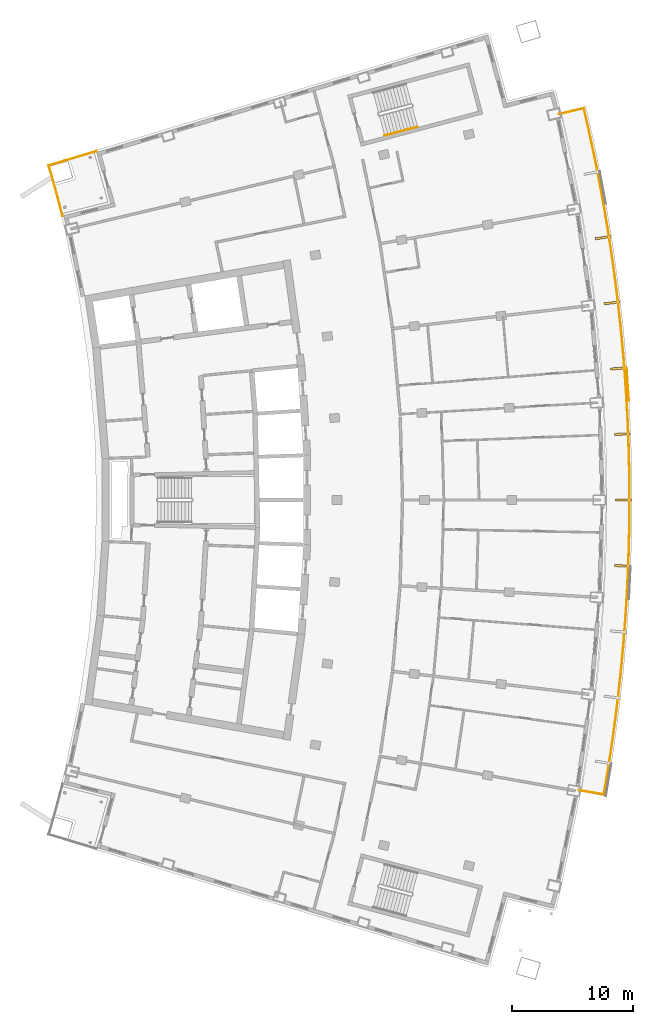
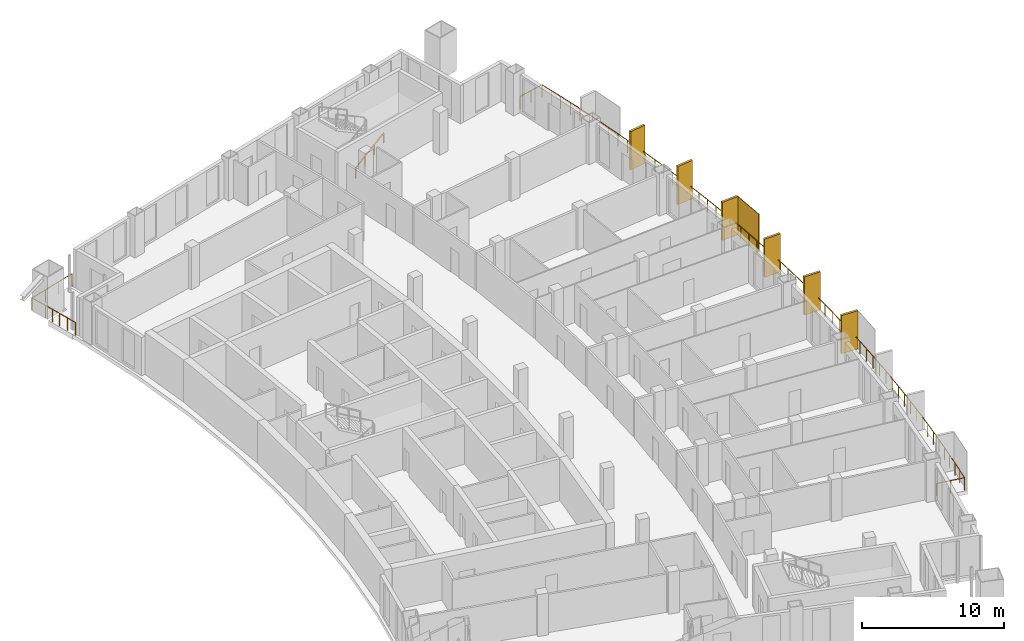
# One storey, part 17 of 18: 7 shading devices, 3 railings.
"""IFC4 building model written with IfcOpenShell, lengths in metres."""

from ifc_helpers import new_model, si_unit, direction, frame, origin, origin_2d, place, context, subcontext, project, spatial, rectangle, extrude, material, layer, layer_set, type_object, element, save


model = new_model("IFC4")

# Units and contexts
model_context = context("Model", 3, precision=1e-05, world=origin(), true_north=direction((0.0, 1.0)))
body_context = subcontext(model_context, "Body", "Model", "MODEL_VIEW")
ifc_project = project(units=[si_unit("LENGTHUNIT", "METRE"), si_unit("AREAUNIT", "SQUARE_METRE"), si_unit("VOLUMEUNIT", "CUBIC_METRE"), si_unit("PLANEANGLEUNIT", "RADIAN"), si_unit("MASSUNIT", "GRAM", prefix="KILO")], contexts=[model_context])

# Site, building, storey
site_placement = place(None, origin())
site = spatial("IfcSite", under=ifc_project, at=site_placement, CompositionType="ELEMENT")
building_placement = place(site_placement, origin())
building = spatial("IfcBuilding", under=site, at=building_placement, Name="Alderwake Tower", CompositionType="ELEMENT")
storey_placement = place(building_placement, frame((0.0, 0.0, 225.199951171875)))
storey = spatial("IfcBuildingStorey", under=building, at=storey_placement, Name="L56", CompositionType="ELEMENT", Elevation=225.199951171875)

# Railings
ifc_material_1 = material(Name="Stainless steel 316 rail and posts", Category="steel")
railing_type_1 = type_object("IfcRailingType", Name="Balcony guard 1100", PredefinedType="GUARDRAIL", material=ifc_material_1)
railing_1_placement = place(storey_placement, frame((55.71240234375, 37.10498046875, 0.0)))
element("IfcRailing", 1, at=railing_1_placement, inside=storey, type_object=railing_type_1, Name="Guard BF04", PredefinedType="GUARDRAIL", context=body_context, shape_type="SweptSolid", body=[
    extrude(rectangle(XDim=0.048095703125, YDim=0.048095703125, at=origin_2d()), frame((0.0, 0.0, 1.076171875), z_axis=(0.984840855066, -0.173460341844, 0.0), x_axis=(0.173460341844, 0.984840855066, 0.0)), (0.0, 0.0, 1.0), 2.099853515625),
    extrude(rectangle(XDim=0.048095703125, YDim=0.048095703125, at=origin_2d()), frame((2.068115234375, -0.3642578125, 1.076171875), z_axis=(0.166602347752, 0.986024166906, 0.0), x_axis=(-0.986024166906, 0.166602347752, 0.0)), (0.0, 0.0, 1.0), 1.940185546875),
    extrude(rectangle(XDim=0.048095703125, YDim=0.048095703125, at=origin_2d()), frame((2.391357421875, 1.548828125, 1.076171875), z_axis=(0.15256970672, 0.988292712, 0.0), x_axis=(-0.988292712, 0.15256970672, 0.0)), (0.0, 0.0, 1.0), 2.040283203125),
    extrude(rectangle(XDim=0.048095703125, YDim=0.048095703125, at=origin_2d()), frame((2.70263671875, 3.565185546875, 1.076171875), z_axis=(0.138086845917, 0.990420124485, 0.0), x_axis=(-0.990420124485, 0.138086845917, 0.0)), (0.0, 0.0, 1.0), 2.040283203125),
    extrude(rectangle(XDim=0.048095703125, YDim=0.048095703125, at=origin_2d()), frame((2.984375, 5.5859375, 1.076171875), z_axis=(0.123622311964, 0.992329342499, 0.0), x_axis=(-0.992329342499, 0.123622311964, 0.0)), (0.0, 0.0, 1.0), 2.0400390625),
    extrude(rectangle(XDim=0.048095703125, YDim=0.048095703125, at=origin_2d()), frame((3.236572265625, 7.6103515625, 1.076171875), z_axis=(0.109131208179, 0.994027353447, 0.0), x_axis=(-0.994027353447, 0.109131208179, 0.0)), (0.0, 0.0, 1.0), 2.040283203125),
    extrude(rectangle(XDim=0.048095703125, YDim=0.048095703125, at=origin_2d()), frame((3.459228515625, 9.638427734375, 1.076171875), z_axis=(0.094656616902, 0.995509982309, 0.0), x_axis=(-0.995509982309, 0.094656616902, 0.0)), (0.0, 0.0, 1.0), 2.040283203125),
    extrude(rectangle(XDim=0.048095703125, YDim=0.048095703125, at=origin_2d()), frame((3.65234375, 11.66943359375, 1.076171875), z_axis=(0.080173257141, 0.996780943257, 0.0), x_axis=(-0.996780943257, 0.080173257141, 0.0)), (0.0, 0.0, 1.0), 2.040283203125),
    extrude(rectangle(XDim=0.048095703125, YDim=0.048095703125, at=origin_2d()), frame((3.81591796875, 13.703125, 1.076171875), z_axis=(0.06558170629, 0.997847202632, 0.0), x_axis=(-0.997847202632, 0.06558170629, 0.0)), (0.0, 0.0, 1.0), 2.0400390625),
    extrude(rectangle(XDim=0.048095703125, YDim=0.048095703125, at=origin_2d()), frame((3.94970703125, 15.73876953125, 1.076171875), z_axis=(0.050976054049, 0.998699875795, 0.0), x_axis=(-0.998699875795, 0.050976054049, 0.0)), (0.0, 0.0, 1.0), 2.040283203125),
    extrude(rectangle(XDim=0.048095703125, YDim=0.048095703125, at=origin_2d()), frame((4.0537109375, 17.7763671875, 1.076171875), z_axis=(0.036498237791, 0.999333717353, 0.0), x_axis=(-0.999333717353, 0.036498237791, 0.0)), (0.0, 0.0, 1.0), 2.040283203125),
    extrude(rectangle(XDim=0.048095703125, YDim=0.048095703125, at=origin_2d()), frame((4.128173828125, 19.815185546875, 1.076171875), z_axis=(0.021778196829, 0.999762826946, 0.0), x_axis=(-0.999762826946, 0.021778196829, 0.0)), (0.0, 0.0, 1.0), 2.040283203125),
    extrude(rectangle(XDim=0.048095703125, YDim=0.048095703125, at=origin_2d()), frame((4.172607421875, 21.85498046875, 1.076171875), z_axis=(0.007299949097, 0.999973355017, 0.0), x_axis=(-0.999973355017, 0.007299949097, 0.0)), (0.0, 0.0, 1.0), 2.0400390625),
    extrude(rectangle(XDim=0.048095703125, YDim=0.048095703125, at=origin_2d()), frame((4.1875, 23.89501953125, 1.076171875), z_axis=(-0.007299949097, 0.999973355017, 0.0), x_axis=(-0.999973355017, -0.007299949097, 0.0)), (0.0, 0.0, 1.0), 2.0400390625),
    extrude(rectangle(XDim=0.048095703125, YDim=0.048095703125, at=origin_2d()), frame((4.172607421875, 25.93505859375, 1.076171875), z_axis=(-0.021778196829, 0.999762826946, 0.0), x_axis=(-0.999762826946, -0.021778196829, 0.0)), (0.0, 0.0, 1.0), 2.040283203125),
    extrude(rectangle(XDim=0.048095703125, YDim=0.048095703125, at=origin_2d()), frame((4.128173828125, 27.974853515625, 1.076171875), z_axis=(-0.036498237791, 0.999333717353, 0.0), x_axis=(-0.999333717353, -0.036498237791, 0.0)), (0.0, 0.0, 1.0), 2.040283203125),
    extrude(rectangle(XDim=0.048095703125, YDim=0.048095703125, at=origin_2d()), frame((4.0537109375, 30.013671875, 1.076171875), z_axis=(-0.050976054049, 0.998699875795, 0.0), x_axis=(-0.998699875795, -0.050976054049, 0.0)), (0.0, 0.0, 1.0), 2.040283203125),
    extrude(rectangle(XDim=0.048095703125, YDim=0.048095703125, at=origin_2d()), frame((3.94970703125, 32.05126953125, 1.076171875), z_axis=(-0.06558170629, 0.997847202632, 0.0), x_axis=(-0.997847202632, -0.06558170629, 0.0)), (0.0, 0.0, 1.0), 2.0400390625),
    extrude(rectangle(XDim=0.048095703125, YDim=0.048095703125, at=origin_2d()), frame((3.81591796875, 34.0869140625, 1.076171875), z_axis=(-0.080173257141, 0.996780943257, 0.0), x_axis=(-0.996780943257, -0.080173257141, 0.0)), (0.0, 0.0, 1.0), 2.040283203125),
    extrude(rectangle(XDim=0.048095703125, YDim=0.048095703125, at=origin_2d()), frame((3.65234375, 36.12060546875, 1.076171875), z_axis=(-0.094656616902, 0.995509982309, 0.0), x_axis=(-0.995509982309, -0.094656616902, 0.0)), (0.0, 0.0, 1.0), 2.040283203125),
    extrude(rectangle(XDim=0.048095703125, YDim=0.048095703125, at=origin_2d()), frame((3.459228515625, 38.151611328125, 1.076171875), z_axis=(-0.109131208179, 0.994027353447, 0.0), x_axis=(-0.994027353447, -0.109131208179, 0.0)), (0.0, 0.0, 1.0), 2.040283203125),
    extrude(rectangle(XDim=0.048095703125, YDim=0.048095703125, at=origin_2d()), frame((3.236572265625, 40.1796875, 1.076171875), z_axis=(-0.123622311964, 0.992329342499, 0.0), x_axis=(-0.992329342499, -0.123622311964, 0.0)), (0.0, 0.0, 1.0), 2.0400390625),
    extrude(rectangle(XDim=0.048095703125, YDim=0.048095703125, at=origin_2d()), frame((2.984375, 42.2041015625, 1.076171875), z_axis=(-0.138086845917, 0.990420124485, 0.0), x_axis=(-0.990420124485, -0.138086845917, 0.0)), (0.0, 0.0, 1.0), 2.040283203125),
    extrude(rectangle(XDim=0.048095703125, YDim=0.048095703125, at=origin_2d()), frame((2.70263671875, 44.224853515625, 1.076171875), z_axis=(-0.15256970672, 0.988292712, 0.0), x_axis=(-0.988292712, -0.15256970672, 0.0)), (0.0, 0.0, 1.0), 2.040283203125),
    extrude(rectangle(XDim=0.048095703125, YDim=0.048095703125, at=origin_2d()), frame((2.391357421875, 46.2412109375, 1.076171875), z_axis=(-0.166940635235, 0.985966948892, 0.0), x_axis=(-0.985966948892, -0.166940635235, 0.0)), (0.0, 0.0, 1.0), 2.0400390625),
    extrude(rectangle(XDim=0.048095703125, YDim=0.048095703125, at=origin_2d()), frame((2.05078125, 48.252685546875, 1.076171875), z_axis=(-0.181296442704, 0.983428492501, 0.0), x_axis=(-0.983428492501, -0.181296442704, 0.0)), (0.0, 0.0, 1.0), 2.0400390625),
    extrude(rectangle(XDim=0.048095703125, YDim=0.048095703125, at=origin_2d()), frame((1.680908203125, 50.259033203125, 1.076171875), z_axis=(-0.195517818896, 0.980700149125, 0.0), x_axis=(-0.980700149125, -0.195517818896, 0.0)), (0.0, 0.0, 1.0), 2.040283203125),
    extrude(rectangle(XDim=0.048095703125, YDim=0.048095703125, at=origin_2d()), frame((1.281982421875, 52.260009765625, 1.076171875), z_axis=(-0.209905019047, 0.977721781991, 0.0), x_axis=(-0.977721781991, -0.209905019047, 0.0)), (0.0, 0.0, 1.0), 2.0400390625),
    extrude(rectangle(XDim=0.048095703125, YDim=0.048095703125, at=origin_2d()), frame((0.853759765625, 54.254638671875, 1.076171875), z_axis=(-0.22386682062, 0.974619744632, 0.0), x_axis=(-0.974619744632, -0.22386682062, 0.0)), (0.0, 0.0, 1.0), 1.940185546875),
    extrude(rectangle(XDim=0.048095703125, YDim=0.048095703125, at=origin_2d()), frame((0.41943359375, 56.1455078125, 1.076171875), z_axis=(-0.973089892327, -0.230425826355, 0.0), x_axis=(0.230425826355, -0.973089892327, 0.0)), (0.0, 0.0, 1.0), 2.099853515625),
    extrude(rectangle(XDim=0.0419921875, YDim=0.0419921875, at=origin_2d()), frame((0.0, 0.0, 0.0), z_axis=(0.0, 0.0, 1.0), x_axis=(0.984840855066, -0.173460341844, 0.0)), (0.0, 0.0, 1.0), 1.052001953125),
    extrude(rectangle(XDim=0.0419921875, YDim=0.0419921875, at=origin_2d()), frame((1.0341796875, -0.18212890625, 0.0), z_axis=(0.0, 0.0, 1.0), x_axis=(0.984840855066, -0.173460341844, 0.0)), (0.0, 0.0, 1.0), 1.052001953125),
    extrude(rectangle(XDim=0.0419921875, YDim=0.0419921875, at=origin_2d()), frame((2.068115234375, -0.3642578125, 0.0), z_axis=(0.0, 0.0, 1.0), x_axis=(0.166602347752, 0.986024166906, 0.0)), (0.0, 0.0, 1.0), 1.052001953125),
    extrude(rectangle(XDim=0.0419921875, YDim=0.0419921875, at=origin_2d()), frame((2.229736328125, 0.59228515625, 0.0), z_axis=(0.0, 0.0, 1.0), x_axis=(0.166602347752, 0.986024166906, 0.0)), (0.0, 0.0, 1.0), 1.052001953125),
    extrude(rectangle(XDim=0.0419921875, YDim=0.0419921875, at=origin_2d()), frame((2.391357421875, 1.548828125, 0.0), z_axis=(0.0, 0.0, 1.0), x_axis=(0.15256970672, 0.988292712, 0.0)), (0.0, 0.0, 1.0), 1.052001953125),
    extrude(rectangle(XDim=0.0419921875, YDim=0.0419921875, at=origin_2d()), frame((2.546875, 2.55712890625, 0.0), z_axis=(0.0, 0.0, 1.0), x_axis=(0.15256970672, 0.988292712, 0.0)), (0.0, 0.0, 1.0), 1.052001953125),
    extrude(rectangle(XDim=0.0419921875, YDim=0.0419921875, at=origin_2d()), frame((2.70263671875, 3.565185546875, 0.0), z_axis=(0.0, 0.0, 1.0), x_axis=(0.138086845917, 0.990420124485, 0.0)), (0.0, 0.0, 1.0), 1.052001953125),
    extrude(rectangle(XDim=0.0419921875, YDim=0.0419921875, at=origin_2d()), frame((2.843505859375, 4.57568359375, 0.0), z_axis=(0.0, 0.0, 1.0), x_axis=(0.138086845917, 0.990420124485, 0.0)), (0.0, 0.0, 1.0), 1.052001953125),
    extrude(rectangle(XDim=0.0419921875, YDim=0.0419921875, at=origin_2d()), frame((2.984375, 5.5859375, 0.0), z_axis=(0.0, 0.0, 1.0), x_axis=(0.123622311964, 0.992329342499, 0.0)), (0.0, 0.0, 1.0), 1.052001953125),
    extrude(rectangle(XDim=0.0419921875, YDim=0.0419921875, at=origin_2d()), frame((3.1103515625, 6.59814453125, 0.0), z_axis=(0.0, 0.0, 1.0), x_axis=(0.123622311964, 0.992329342499, 0.0)), (0.0, 0.0, 1.0), 1.052001953125),
    extrude(rectangle(XDim=0.0419921875, YDim=0.0419921875, at=origin_2d()), frame((3.236572265625, 7.6103515625, 0.0), z_axis=(0.0, 0.0, 1.0), x_axis=(0.109131208179, 0.994027353447, 0.0)), (0.0, 0.0, 1.0), 1.052001953125),
    extrude(rectangle(XDim=0.0419921875, YDim=0.0419921875, at=origin_2d()), frame((3.347900390625, 8.62451171875, 0.0), z_axis=(0.0, 0.0, 1.0), x_axis=(0.109131208179, 0.994027353447, 0.0)), (0.0, 0.0, 1.0), 1.052001953125),
    extrude(rectangle(XDim=0.0419921875, YDim=0.0419921875, at=origin_2d()), frame((3.459228515625, 9.638427734375, 0.0), z_axis=(0.0, 0.0, 1.0), x_axis=(0.094656616902, 0.995509982309, 0.0)), (0.0, 0.0, 1.0), 1.052001953125),
    extrude(rectangle(XDim=0.0419921875, YDim=0.0419921875, at=origin_2d()), frame((3.5556640625, 10.65380859375, 0.0), z_axis=(0.0, 0.0, 1.0), x_axis=(0.094656616902, 0.995509982309, 0.0)), (0.0, 0.0, 1.0), 1.052001953125),
    extrude(rectangle(XDim=0.0419921875, YDim=0.0419921875, at=origin_2d()), frame((3.65234375, 11.66943359375, 0.0), z_axis=(0.0, 0.0, 1.0), x_axis=(0.080173257141, 0.996780943257, 0.0)), (0.0, 0.0, 1.0), 1.052001953125),
    extrude(rectangle(XDim=0.0419921875, YDim=0.0419921875, at=origin_2d()), frame((3.734130859375, 12.686279296875, 0.0), z_axis=(0.0, 0.0, 1.0), x_axis=(0.080173257141, 0.996780943257, 0.0)), (0.0, 0.0, 1.0), 1.052001953125),
    extrude(rectangle(XDim=0.0419921875, YDim=0.0419921875, at=origin_2d()), frame((3.81591796875, 13.703125, 0.0), z_axis=(0.0, 0.0, 1.0), x_axis=(0.06558170629, 0.997847202632, 0.0)), (0.0, 0.0, 1.0), 1.052001953125),
    extrude(rectangle(XDim=0.0419921875, YDim=0.0419921875, at=origin_2d()), frame((3.8828125, 14.720947265625, 0.0), z_axis=(0.0, 0.0, 1.0), x_axis=(0.06558170629, 0.997847202632, 0.0)), (0.0, 0.0, 1.0), 1.052001953125),
    extrude(rectangle(XDim=0.0419921875, YDim=0.0419921875, at=origin_2d()), frame((3.94970703125, 15.73876953125, 0.0), z_axis=(0.0, 0.0, 1.0), x_axis=(0.050976054049, 0.998699875795, 0.0)), (0.0, 0.0, 1.0), 1.052001953125),
    extrude(rectangle(XDim=0.0419921875, YDim=0.0419921875, at=origin_2d()), frame((4.001708984375, 16.757568359375, 0.0), z_axis=(0.0, 0.0, 1.0), x_axis=(0.050976054049, 0.998699875795, 0.0)), (0.0, 0.0, 1.0), 1.052001953125),
    extrude(rectangle(XDim=0.0419921875, YDim=0.0419921875, at=origin_2d()), frame((4.0537109375, 17.7763671875, 0.0), z_axis=(0.0, 0.0, 1.0), x_axis=(0.036498237791, 0.999333717353, 0.0)), (0.0, 0.0, 1.0), 1.052001953125),
    extrude(rectangle(XDim=0.0419921875, YDim=0.0419921875, at=origin_2d()), frame((4.0908203125, 18.7958984375, 0.0), z_axis=(0.0, 0.0, 1.0), x_axis=(0.036498237791, 0.999333717353, 0.0)), (0.0, 0.0, 1.0), 1.052001953125),
    extrude(rectangle(XDim=0.0419921875, YDim=0.0419921875, at=origin_2d()), frame((4.128173828125, 19.815185546875, 0.0), z_axis=(0.0, 0.0, 1.0), x_axis=(0.021778196829, 0.999762826946, 0.0)), (0.0, 0.0, 1.0), 1.052001953125),
    extrude(rectangle(XDim=0.0419921875, YDim=0.0419921875, at=origin_2d()), frame((4.150390625, 20.8349609375, 0.0), z_axis=(0.0, 0.0, 1.0), x_axis=(0.021778196829, 0.999762826946, 0.0)), (0.0, 0.0, 1.0), 1.052001953125),
    extrude(rectangle(XDim=0.0419921875, YDim=0.0419921875, at=origin_2d()), frame((4.172607421875, 21.85498046875, 0.0), z_axis=(0.0, 0.0, 1.0), x_axis=(0.007299949097, 0.999973355017, 0.0)), (0.0, 0.0, 1.0), 1.052001953125),
    extrude(rectangle(XDim=0.0419921875, YDim=0.0419921875, at=origin_2d()), frame((4.18017578125, 22.875, 0.0), z_axis=(0.0, 0.0, 1.0), x_axis=(0.007299949097, 0.999973355017, 0.0)), (0.0, 0.0, 1.0), 1.052001953125),
    extrude(rectangle(XDim=0.0419921875, YDim=0.0419921875, at=origin_2d()), frame((4.1875, 23.89501953125, 0.0), z_axis=(0.0, 0.0, 1.0), x_axis=(-0.007299949097, 0.999973355017, 0.0)), (0.0, 0.0, 1.0), 1.052001953125),
    extrude(rectangle(XDim=0.0419921875, YDim=0.0419921875, at=origin_2d()), frame((4.18017578125, 24.9150390625, 0.0), z_axis=(0.0, 0.0, 1.0), x_axis=(-0.007299949097, 0.999973355017, 0.0)), (0.0, 0.0, 1.0), 1.052001953125),
    extrude(rectangle(XDim=0.0419921875, YDim=0.0419921875, at=origin_2d()), frame((4.172607421875, 25.93505859375, 0.0), z_axis=(0.0, 0.0, 1.0), x_axis=(-0.021778196829, 0.999762826946, 0.0)), (0.0, 0.0, 1.0), 1.052001953125),
    extrude(rectangle(XDim=0.0419921875, YDim=0.0419921875, at=origin_2d()), frame((4.150390625, 26.955078125, 0.0), z_axis=(0.0, 0.0, 1.0), x_axis=(-0.021778196829, 0.999762826946, 0.0)), (0.0, 0.0, 1.0), 1.052001953125),
    extrude(rectangle(XDim=0.0419921875, YDim=0.0419921875, at=origin_2d()), frame((4.128173828125, 27.974853515625, 0.0), z_axis=(0.0, 0.0, 1.0), x_axis=(-0.036498237791, 0.999333717353, 0.0)), (0.0, 0.0, 1.0), 1.052001953125),
    extrude(rectangle(XDim=0.0419921875, YDim=0.0419921875, at=origin_2d()), frame((4.0908203125, 28.994140625, 0.0), z_axis=(0.0, 0.0, 1.0), x_axis=(-0.036498237791, 0.999333717353, 0.0)), (0.0, 0.0, 1.0), 1.052001953125),
    extrude(rectangle(XDim=0.0419921875, YDim=0.0419921875, at=origin_2d()), frame((4.0537109375, 30.013671875, 0.0), z_axis=(0.0, 0.0, 1.0), x_axis=(-0.050976054049, 0.998699875795, 0.0)), (0.0, 0.0, 1.0), 1.052001953125),
    extrude(rectangle(XDim=0.0419921875, YDim=0.0419921875, at=origin_2d()), frame((4.001708984375, 31.032470703125, 0.0), z_axis=(0.0, 0.0, 1.0), x_axis=(-0.050976054049, 0.998699875795, 0.0)), (0.0, 0.0, 1.0), 1.052001953125),
    extrude(rectangle(XDim=0.0419921875, YDim=0.0419921875, at=origin_2d()), frame((3.94970703125, 32.05126953125, 0.0), z_axis=(0.0, 0.0, 1.0), x_axis=(-0.06558170629, 0.997847202632, 0.0)), (0.0, 0.0, 1.0), 1.052001953125),
    extrude(rectangle(XDim=0.0419921875, YDim=0.0419921875, at=origin_2d()), frame((3.8828125, 33.069091796875, 0.0), z_axis=(0.0, 0.0, 1.0), x_axis=(-0.06558170629, 0.997847202632, 0.0)), (0.0, 0.0, 1.0), 1.052001953125),
    extrude(rectangle(XDim=0.0419921875, YDim=0.0419921875, at=origin_2d()), frame((3.81591796875, 34.0869140625, 0.0), z_axis=(0.0, 0.0, 1.0), x_axis=(-0.080173257141, 0.996780943257, 0.0)), (0.0, 0.0, 1.0), 1.052001953125),
    extrude(rectangle(XDim=0.0419921875, YDim=0.0419921875, at=origin_2d()), frame((3.734130859375, 35.103759765625, 0.0), z_axis=(0.0, 0.0, 1.0), x_axis=(-0.080173257141, 0.996780943257, 0.0)), (0.0, 0.0, 1.0), 1.052001953125),
    extrude(rectangle(XDim=0.0419921875, YDim=0.0419921875, at=origin_2d()), frame((3.65234375, 36.12060546875, 0.0), z_axis=(0.0, 0.0, 1.0), x_axis=(-0.094656616902, 0.995509982309, 0.0)), (0.0, 0.0, 1.0), 1.052001953125),
    extrude(rectangle(XDim=0.0419921875, YDim=0.0419921875, at=origin_2d()), frame((3.5556640625, 37.13623046875, 0.0), z_axis=(0.0, 0.0, 1.0), x_axis=(-0.094656616902, 0.995509982309, 0.0)), (0.0, 0.0, 1.0), 1.052001953125),
    extrude(rectangle(XDim=0.0419921875, YDim=0.0419921875, at=origin_2d()), frame((3.459228515625, 38.151611328125, 0.0), z_axis=(0.0, 0.0, 1.0), x_axis=(-0.109131208179, 0.994027353447, 0.0)), (0.0, 0.0, 1.0), 1.052001953125),
    extrude(rectangle(XDim=0.0419921875, YDim=0.0419921875, at=origin_2d()), frame((3.347900390625, 39.16552734375, 0.0), z_axis=(0.0, 0.0, 1.0), x_axis=(-0.109131208179, 0.994027353447, 0.0)), (0.0, 0.0, 1.0), 1.052001953125),
    extrude(rectangle(XDim=0.0419921875, YDim=0.0419921875, at=origin_2d()), frame((3.236572265625, 40.1796875, 0.0), z_axis=(0.0, 0.0, 1.0), x_axis=(-0.123622311964, 0.992329342499, 0.0)), (0.0, 0.0, 1.0), 1.052001953125),
    extrude(rectangle(XDim=0.0419921875, YDim=0.0419921875, at=origin_2d()), frame((3.1103515625, 41.19189453125, 0.0), z_axis=(0.0, 0.0, 1.0), x_axis=(-0.123622311964, 0.992329342499, 0.0)), (0.0, 0.0, 1.0), 1.052001953125),
    extrude(rectangle(XDim=0.0419921875, YDim=0.0419921875, at=origin_2d()), frame((2.984375, 42.2041015625, 0.0), z_axis=(0.0, 0.0, 1.0), x_axis=(-0.138086845917, 0.990420124485, 0.0)), (0.0, 0.0, 1.0), 1.052001953125),
    extrude(rectangle(XDim=0.0419921875, YDim=0.0419921875, at=origin_2d()), frame((2.843505859375, 43.21435546875, 0.0), z_axis=(0.0, 0.0, 1.0), x_axis=(-0.138086845917, 0.990420124485, 0.0)), (0.0, 0.0, 1.0), 1.052001953125),
    extrude(rectangle(XDim=0.0419921875, YDim=0.0419921875, at=origin_2d()), frame((2.70263671875, 44.224853515625, 0.0), z_axis=(0.0, 0.0, 1.0), x_axis=(-0.15256970672, 0.988292712, 0.0)), (0.0, 0.0, 1.0), 1.052001953125),
    extrude(rectangle(XDim=0.0419921875, YDim=0.0419921875, at=origin_2d()), frame((2.546875, 45.23291015625, 0.0), z_axis=(0.0, 0.0, 1.0), x_axis=(-0.15256970672, 0.988292712, 0.0)), (0.0, 0.0, 1.0), 1.052001953125),
    extrude(rectangle(XDim=0.0419921875, YDim=0.0419921875, at=origin_2d()), frame((2.391357421875, 46.2412109375, 0.0), z_axis=(0.0, 0.0, 1.0), x_axis=(-0.166940635235, 0.985966948892, 0.0)), (0.0, 0.0, 1.0), 1.052001953125),
    extrude(rectangle(XDim=0.0419921875, YDim=0.0419921875, at=origin_2d()), frame((2.22119140625, 47.2470703125, 0.0), z_axis=(0.0, 0.0, 1.0), x_axis=(-0.166940635235, 0.985966948892, 0.0)), (0.0, 0.0, 1.0), 1.052001953125),
    extrude(rectangle(XDim=0.0419921875, YDim=0.0419921875, at=origin_2d()), frame((2.05078125, 48.252685546875, 0.0), z_axis=(0.0, 0.0, 1.0), x_axis=(-0.181296442704, 0.983428492501, 0.0)), (0.0, 0.0, 1.0), 1.052001953125),
    extrude(rectangle(XDim=0.0419921875, YDim=0.0419921875, at=origin_2d()), frame((1.86572265625, 49.255859375, 0.0), z_axis=(0.0, 0.0, 1.0), x_axis=(-0.181296442704, 0.983428492501, 0.0)), (0.0, 0.0, 1.0), 1.052001953125),
    extrude(rectangle(XDim=0.0419921875, YDim=0.0419921875, at=origin_2d()), frame((1.680908203125, 50.259033203125, 0.0), z_axis=(0.0, 0.0, 1.0), x_axis=(-0.195517818896, 0.980700149125, 0.0)), (0.0, 0.0, 1.0), 1.052001953125),
    extrude(rectangle(XDim=0.0419921875, YDim=0.0419921875, at=origin_2d()), frame((1.4814453125, 51.259521484375, 0.0), z_axis=(0.0, 0.0, 1.0), x_axis=(-0.195517818896, 0.980700149125, 0.0)), (0.0, 0.0, 1.0), 1.052001953125),
    extrude(rectangle(XDim=0.0419921875, YDim=0.0419921875, at=origin_2d()), frame((1.281982421875, 52.260009765625, 0.0), z_axis=(0.0, 0.0, 1.0), x_axis=(-0.209905019047, 0.977721781991, 0.0)), (0.0, 0.0, 1.0), 1.052001953125),
    extrude(rectangle(XDim=0.0419921875, YDim=0.0419921875, at=origin_2d()), frame((1.06787109375, 53.25732421875, 0.0), z_axis=(0.0, 0.0, 1.0), x_axis=(-0.209905019047, 0.977721781991, 0.0)), (0.0, 0.0, 1.0), 1.052001953125),
    extrude(rectangle(XDim=0.0419921875, YDim=0.0419921875, at=origin_2d()), frame((0.853759765625, 54.254638671875, 0.0), z_axis=(0.0, 0.0, 1.0), x_axis=(-0.22386682062, 0.974619744632, 0.0)), (0.0, 0.0, 1.0), 1.052001953125),
    extrude(rectangle(XDim=0.0419921875, YDim=0.0419921875, at=origin_2d()), frame((0.63671875, 55.2001953125, 0.0), z_axis=(0.0, 0.0, 1.0), x_axis=(-0.22386682062, 0.974619744632, 0.0)), (0.0, 0.0, 1.0), 1.052001953125),
    extrude(rectangle(XDim=0.0419921875, YDim=0.0419921875, at=origin_2d()), frame((0.41943359375, 56.1455078125, 0.0), z_axis=(0.0, 0.0, 1.0), x_axis=(-0.973089892327, -0.230425826355, 0.0)), (0.0, 0.0, 1.0), 1.052001953125),
    extrude(rectangle(XDim=0.0419921875, YDim=0.0419921875, at=origin_2d()), frame((-0.602294921875, 55.903564453125, 0.0), z_axis=(0.0, 0.0, 1.0), x_axis=(-0.973089892327, -0.230425826355, 0.0)), (0.0, 0.0, 1.0), 1.052001953125),
    extrude(rectangle(XDim=0.0419921875, YDim=0.0419921875, at=origin_2d()), frame((-1.6240234375, 55.66162109375, 0.0), z_axis=(0.0, 0.0, 1.0), x_axis=(-0.973089892327, -0.230425826355, 0.0)), (0.0, 0.0, 1.0), 1.052001953125),
])
railing_2_placement = place(storey_placement, frame((13.210693359375, 84.387451171875, 0.0)))
element("IfcRailing", 2, at=railing_2_placement, inside=storey, type_object=railing_type_1, Name="Guard terrace RN", PredefinedType="GUARDRAIL", context=body_context, shape_type="SweptSolid", body=[
    extrude(rectangle(XDim=0.048095703125, YDim=0.048095703125, at=origin_2d()), frame((0.0, 0.0, 1.076171875), z_axis=(-0.251385381433, 0.967887075026, 0.0), x_axis=(-0.967887075026, -0.251385381433, 0.0)), (0.0, 0.0, 1.0), 1.6015625),
    extrude(rectangle(XDim=0.048095703125, YDim=0.048095703125, at=origin_2d()), frame((-0.402587890625, 1.550048828125, 1.076171875), z_axis=(-0.266520638672, 0.963829211615, 0.0), x_axis=(-0.963829211615, -0.266520638672, 0.0)), (0.0, 0.0, 1.0), 1.401611328125),
    extrude(rectangle(XDim=0.048095703125, YDim=0.048095703125, at=origin_2d()), frame((-0.776123046875, 2.90087890625, 1.076171875), z_axis=(-0.280093650878, 0.959972680204, 0.0), x_axis=(-0.959972680204, -0.280093650878, 0.0)), (0.0, 0.0, 1.0), 1.30126953125),
    extrude(rectangle(XDim=0.048095703125, YDim=0.048095703125, at=origin_2d()), frame((-1.140625, 4.150146484375, 1.076171875), z_axis=(0.958066871889, 0.286544706789, 0.0), x_axis=(-0.286544706789, 0.958066871889, 0.0)), (0.0, 0.0, 1.0), 4.099853515625),
    extrude(rectangle(XDim=0.0419921875, YDim=0.0419921875, at=origin_2d()), frame((0.0, 0.0, 0.0), z_axis=(0.0, 0.0, 1.0), x_axis=(-0.251385381433, 0.967887075026, 0.0)), (0.0, 0.0, 1.0), 1.052001953125),
    extrude(rectangle(XDim=0.0419921875, YDim=0.0419921875, at=origin_2d()), frame((-0.201171875, 0.77490234375, 0.0), z_axis=(0.0, 0.0, 1.0), x_axis=(-0.251385381433, 0.967887075026, 0.0)), (0.0, 0.0, 1.0), 1.052001953125),
    extrude(rectangle(XDim=0.0419921875, YDim=0.0419921875, at=origin_2d()), frame((-0.402587890625, 1.550048828125, 0.0), z_axis=(0.0, 0.0, 1.0), x_axis=(-0.266520638672, 0.963829211615, 0.0)), (0.0, 0.0, 1.0), 1.052001953125),
    extrude(rectangle(XDim=0.0419921875, YDim=0.0419921875, at=origin_2d()), frame((-0.58935546875, 2.2255859375, 0.0), z_axis=(0.0, 0.0, 1.0), x_axis=(-0.266520638672, 0.963829211615, 0.0)), (0.0, 0.0, 1.0), 1.052001953125),
    extrude(rectangle(XDim=0.0419921875, YDim=0.0419921875, at=origin_2d()), frame((-0.776123046875, 2.90087890625, 0.0), z_axis=(0.0, 0.0, 1.0), x_axis=(-0.280093650878, 0.959972680204, 0.0)), (0.0, 0.0, 1.0), 1.052001953125),
    extrude(rectangle(XDim=0.0419921875, YDim=0.0419921875, at=origin_2d()), frame((-1.140625, 4.150146484375, 0.0), z_axis=(0.0, 0.0, 1.0), x_axis=(0.958066871889, 0.286544706789, 0.0)), (0.0, 0.0, 1.0), 1.052001953125),
    extrude(rectangle(XDim=0.0419921875, YDim=0.0419921875, at=origin_2d()), frame((0.168701171875, 4.541748046875, 0.0), z_axis=(0.0, 0.0, 1.0), x_axis=(0.958066871889, 0.286544706789, 0.0)), (0.0, 0.0, 1.0), 1.052001953125),
    extrude(rectangle(XDim=0.0419921875, YDim=0.0419921875, at=origin_2d()), frame((1.47802734375, 4.933349609375, 0.0), z_axis=(0.0, 0.0, 1.0), x_axis=(0.958066871889, 0.286544706789, 0.0)), (0.0, 0.0, 1.0), 1.052001953125),
    extrude(rectangle(XDim=0.0419921875, YDim=0.0419921875, at=origin_2d()), frame((2.787353515625, 5.324951171875, 0.0), z_axis=(0.0, 0.0, 1.0), x_axis=(0.958066871889, 0.286544706789, 0.0)), (0.0, 0.0, 1.0), 1.052001953125),
])

# Shading devices
ifc_material_2 = material(Name="Bronze anodised aluminium", Category="aluminium")
ifc_layer_1 = layer(ifc_material_2, 0.179931640625)
ifc_layer_set_1 = layer_set([ifc_layer_1], Name="Facade fin 1300")
shading_device_type_1 = type_object("IfcShadingDeviceType", Name="Facade fin 1300", PredefinedType="USERDEFINED", material=ifc_layer_set_1)
for number, where, z_axis, x_axis, name in (
    (3, (59.29443359375, 55.57861328125, 0.0), (0.0, 0.0, 1.0), (0.999243494356, -0.038890088543, 0.0), "Fin"),
    (4, (59.39990234375, 61.0, 0.0), (0.0, 0.0, 1.0), (1.0, 0.0, 0.0), "Fin"),
    (5, (59.29443359375, 66.42138671875, 0.0), (0.0, 0.0, 1.0), (0.999243494356, 0.038890088543, 0.0), "Fin"),
    (6, (58.978271484375, 71.83447265625, 0.0), (0.0, 0.0, 1.0), (0.996975122026, 0.077721335943, 0.0), "Fin"),
    (7, (58.451904296875, 77.231201171875, 0.0), (0.0, 0.0, 1.0), (0.993198315083, 0.116434990084, 0.0), "Fin"),
    (8, (57.7158203125, 82.603271484375, 0.0), (0.0, 0.0, 1.0), (0.987918787879, 0.154972476771, 0.0), "Fin"),
):
    element("IfcShadingDevice", number, at=place(storey_placement, frame(where, z_axis=z_axis, x_axis=x_axis)), inside=storey, type_object=shading_device_type_1, Name=name, ObjectType="FIN", PredefinedType="USERDEFINED", context=body_context, shape_type="SweptSolid", body=[
        extrude(rectangle(XDim=1.300048828125, YDim=0.179931640625, at=origin_2d()), origin(), (0.0, 0.0, 1.0), 3.280029296875),
    ])
ifc_material_3 = material(Name="Perforated bronze anodised aluminium", Category="aluminium")
ifc_layer_2 = layer(ifc_material_3, 0.050048828125)
ifc_layer_set_2 = layer_set([ifc_layer_2], Name="Perforated screen panel")
shading_device_type_2 = type_object("IfcShadingDeviceType", Name="Perforated screen panel", PredefinedType="USERDEFINED", material=ifc_layer_set_2)
shading_device_placement = place(storey_placement, frame((59.744140625, 70.5244140625, 0.0), z_axis=(0.0, 0.0, 1.0), x_axis=(0.997685465774, 0.067997877779, 0.0)))
element("IfcShadingDevice", 9, at=shading_device_placement, inside=storey, type_object=shading_device_type_2, Name="Screen panel", ObjectType="SCREEN", PredefinedType="USERDEFINED", context=body_context, shape_type="SweptSolid", body=[
    extrude(rectangle(XDim=0.050048828125, YDim=2.7314453125, at=origin_2d()), origin(), (0.0, 0.0, 1.0), 3.280029296875),
])

# Railing
ifc_material_4 = material(Name="Stainless steel handrail", Category="steel")
railing_type_2 = type_object("IfcRailingType", Name="Stair handrail 900", PredefinedType="HANDRAIL", material=ifc_material_4)
railing_3_placement = place(storey_placement, frame((39.731689453125, 91.002685546875, 0.16357421875)))
element("IfcRailing", 10, at=railing_3_placement, inside=storey, type_object=railing_type_2, Name="L56 ST-A stair handrail 1", PredefinedType="HANDRAIL", context=body_context, shape_type="SweptSolid", body=[
    extrude(rectangle(XDim=0.048095703125, YDim=0.048095703125, at=origin_2d()), frame((0.0, 0.0, 0.8759765625), z_axis=(0.834258940753, 0.22222815314, 0.504605457487), x_axis=(-0.257402139082, 0.966304371715, 0.0)), (0.0, 0.0, 1.0), 3.2431640625),
    extrude(rectangle(XDim=0.0419921875, YDim=0.0419921875, at=origin_2d()), frame((0.0, 0.0, 0.0), z_axis=(0.0, 0.0, 1.0), x_axis=(0.966304371715, 0.257402139082, 0.0)), (0.0, 0.0, 1.0), 0.851806640625),
    extrude(rectangle(XDim=0.0419921875, YDim=0.0419921875, at=origin_2d()), frame((0.90185546875, 0.240234375, 0.54541015625), z_axis=(0.0, 0.0, 1.0), x_axis=(0.966304371715, 0.257402139082, 0.0)), (0.0, 0.0, 1.0), 0.851806640625),
    extrude(rectangle(XDim=0.0419921875, YDim=0.0419921875, at=origin_2d()), frame((1.8037109375, 0.48046875, 1.091064453125), z_axis=(0.0, 0.0, 1.0), x_axis=(0.966304371715, 0.257402139082, 0.0)), (0.0, 0.0, 1.0), 0.851806640625),
    extrude(rectangle(XDim=0.0419921875, YDim=0.0419921875, at=origin_2d()), frame((2.70556640625, 0.720703125, 1.636474609375), z_axis=(0.0, 0.0, 1.0), x_axis=(0.966304371715, 0.257402139082, 0.0)), (0.0, 0.0, 1.0), 0.851806640625),
])

save(model, "model.ifc")
